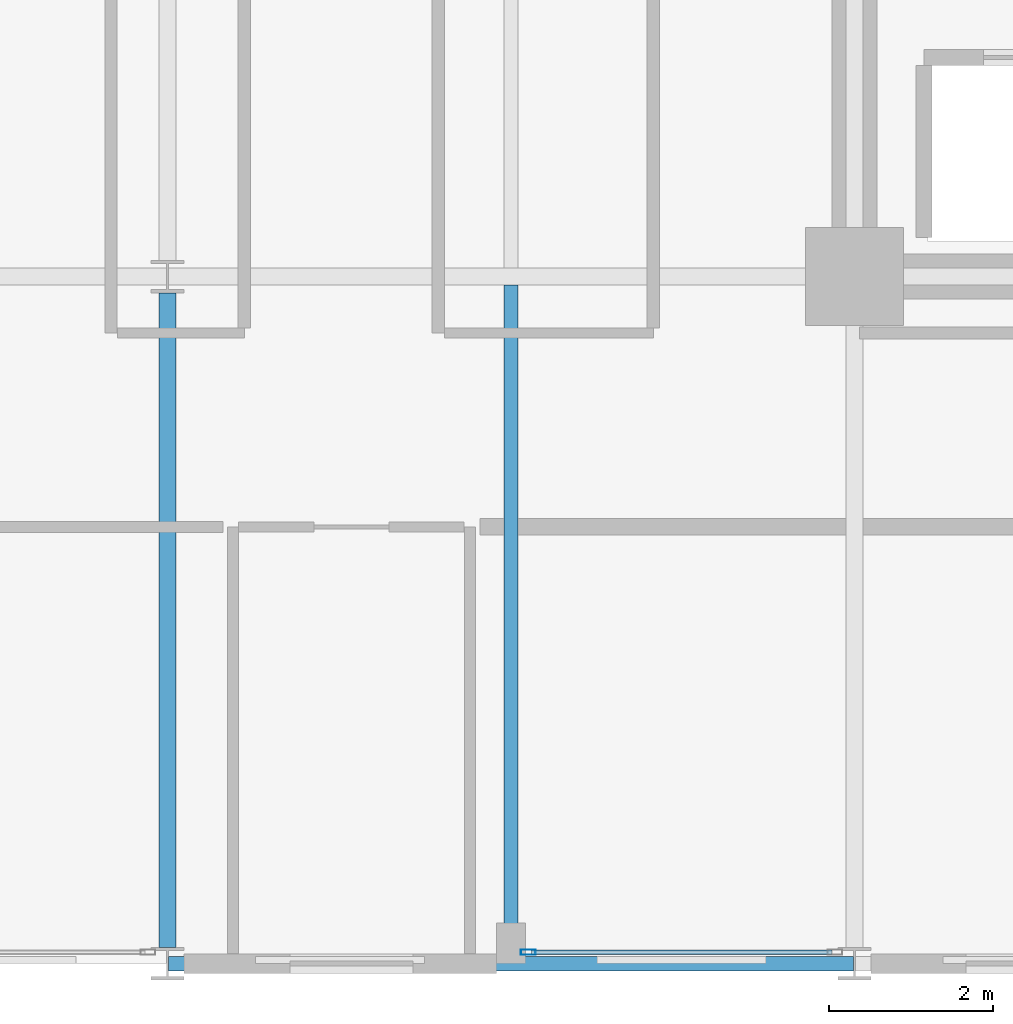
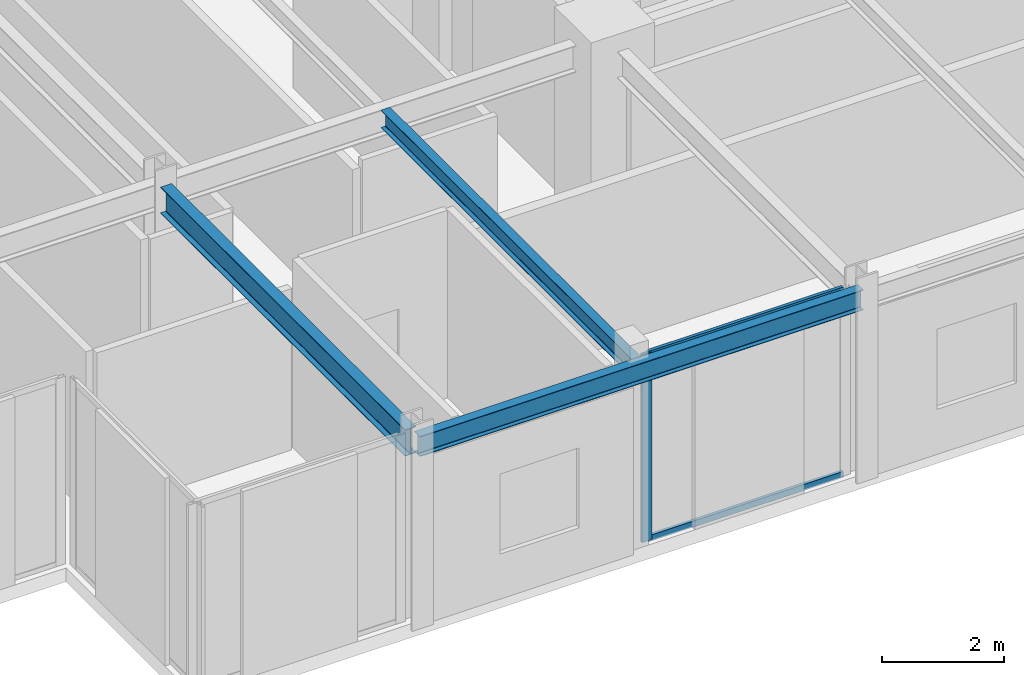
# One storey, part 3 of 29: 3 beams, 3 members, 1 element without a shape of its own.
"""IFC4 building model written with IfcOpenShell, lengths in metres."""

from ifc_helpers import new_model, si_unit, direction, frame, origin, origin_2d, place, context, subcontext, project, spatial, hollow_rectangle, i_section, extrude, material, layer, layer_set, material_profile, profile_set, type_object, element, aggregate, save


model = new_model("IFC4")

# Units and contexts
model_context = context("Model", 3, precision=1e-05, world=origin(), true_north=direction((0.0, 1.0)))
body_context = subcontext(model_context, "Body", "Model", "MODEL_VIEW")
ifc_project = project(units=[si_unit("LENGTHUNIT", "METRE"), si_unit("AREAUNIT", "SQUARE_METRE"), si_unit("VOLUMEUNIT", "CUBIC_METRE"), si_unit("PLANEANGLEUNIT", "RADIAN"), si_unit("MASSUNIT", "GRAM", prefix="KILO")], contexts=[model_context])

# Site, building, storey
site_placement = place(None, origin())
site = spatial("IfcSite", under=ifc_project, at=site_placement, CompositionType="ELEMENT")
building_placement = place(site_placement, origin())
building = spatial("IfcBuilding", under=site, at=building_placement, Name="Nerrivon Quay Data Exchange", CompositionType="ELEMENT")
storey_placement = place(building_placement, frame((0.0, 0.0, 158.199951171875)))
storey = spatial("IfcBuildingStorey", under=building, at=storey_placement, Name="L37", CompositionType="ELEMENT", Elevation=158.199951171875)

# Beams
ifc_material_1 = material(Name="Steel Grade 350", Category="steel")
ifc_material_profile_1 = material_profile(ifc_material_1, i_section(OverallWidth=0.208984375, OverallDepth=0.528076171875, WebThickness=0.009521484375, FlangeThickness=0.01318359375, FilletRadius=0.013916015625, at=origin_2d()), Name="530UB82.0")
ifc_profile_set_1 = profile_set([ifc_material_profile_1], Name="Steel Grade 350")
beam_type_1 = type_object("IfcBeamType", Name="BM-G4-530UB82", PredefinedType="BEAM", material=ifc_profile_set_1)
beam_1_placement = place(storey_placement, frame((8.39990234375, 0.199951171875, 3.486083984375), z_axis=(0.0, 1.0, 0.0), x_axis=(-1.0, 0.0, 0.0)))
element("IfcBeam", 1, at=beam_1_placement, inside=storey, type_object=beam_type_1, Name="L37 NS Girder X=8.4 (0.0..8.4)", PredefinedType="BEAM", context=body_context, shape_type="SweptSolid", body=[
    extrude(i_section(OverallWidth=0.208984375, OverallDepth=0.528076171875, WebThickness=0.009521484375, FlangeThickness=0.01318359375, FilletRadius=0.013916015625, at=origin_2d()), origin(), (0.0, 0.0, 1.0), 8.0),
])
ifc_material_profile_2 = material_profile(ifc_material_1, i_section(OverallWidth=0.1708984375, OverallDepth=0.35595703125, WebThickness=0.00732421875, FlangeThickness=0.011474609375, FilletRadius=0.011474609375, at=origin_2d()), Name="360UB50.7")
ifc_profile_set_2 = profile_set([ifc_material_profile_2], Name="Steel Grade 350")
beam_type_2 = type_object("IfcBeamType", Name="BM-J4-360UB51", PredefinedType="JOIST", material=ifc_profile_set_2)
beam_2_placement = place(storey_placement, frame((12.60009765625, 0.089111328125, 3.572021484375), z_axis=(0.0, 1.0, 0.0), x_axis=(-1.0, 0.0, 0.0)))
element("IfcBeam", 2, at=beam_2_placement, inside=storey, type_object=beam_type_2, Name="L37 Secondary Joist X=12.6 (0.0..8.4)", PredefinedType="JOIST", context=body_context, shape_type="SweptSolid", body=[
    extrude(i_section(OverallWidth=0.1708984375, OverallDepth=0.35595703125, WebThickness=0.00732421875, FlangeThickness=0.011474609375, FilletRadius=0.011474609375, at=origin_2d()), origin(), (0.0, 0.0, 1.0), 8.206298828125),
])
ifc_material_profile_3 = material_profile(ifc_material_1, i_section(OverallWidth=0.177978515625, OverallDepth=0.403076171875, WebThickness=0.007568359375, FlangeThickness=0.010986328125, FilletRadius=0.011474609375, at=origin_2d()), Name="410UB53.7")
ifc_profile_set_3 = profile_set([ifc_material_profile_3], Name="Steel Grade 350")
beam_type_3 = type_object("IfcBeamType", Name="BM-SP2-410UB54", PredefinedType="SPANDREL", material=ifc_profile_set_3)
beam_3_placement = place(storey_placement, frame((8.41259765625, 0.0, 3.548583984375), z_axis=(1.0, 0.0, 0.0), x_axis=(0.0, 1.0, 0.0)))
element("IfcBeam", 3, at=beam_3_placement, inside=storey, type_object=beam_type_3, Name="L37 EW Girder Y=0.0 (8.4..16.8)", PredefinedType="SPANDREL", context=body_context, shape_type="SweptSolid", body=[
    extrude(i_section(OverallWidth=0.177978515625, OverallDepth=0.403076171875, WebThickness=0.007568359375, FlangeThickness=0.010986328125, FilletRadius=0.011474609375, at=origin_2d()), origin(), (0.0, 0.0, 1.0), 8.375),
])

# Curtain wall, members
ifc_material_2 = material(Name="Anodised aluminium 6063-T6", Category="aluminium")
ifc_layer = layer(ifc_material_2, 0.2099609375)
ifc_layer_set = layer_set([ifc_layer], Name="Anodised aluminium 6063-T6")
curtain_wall_type = type_object("IfcCurtainWallType", Name="CW-SYS-02", PredefinedType="NOTDEFINED", material=ifc_layer_set)
curtain_wall_placement = place(storey_placement, origin())
curtain_wall = element("IfcCurtainWall", 4, at=curtain_wall_placement, inside=storey, type_object=curtain_wall_type, Name="L37 Unitised Curtain Wall 6", PredefinedType="NOTDEFINED")
ifc_material_profile_4 = material_profile(ifc_material_2, hollow_rectangle(XDim=0.06494140625, YDim=0.179931640625, WallThickness=0.00341796875, at=origin_2d()), Name="ALU-MULL-180x65")
ifc_profile_set_4 = profile_set([ifc_material_profile_4], Name="Anodised aluminium 6063-T6")
member_type_1 = type_object("IfcMemberType", Name="CWM-180x65", PredefinedType="MULLION", material=ifc_profile_set_4)
member_1_placement = place(storey_placement, frame((12.8125, 0.139892578125, 0.0), z_axis=(0.0, 0.0, 1.0), x_axis=(0.0, -1.0, 0.0)))
member_1 = element("IfcMember", 5, at=member_1_placement, type_object=member_type_1, Name="CW02 mullion 2", PredefinedType="MULLION", context=body_context, shape_type="SweptSolid", body=[
    extrude(hollow_rectangle(XDim=0.06494140625, YDim=0.179931640625, WallThickness=0.00341796875, at=origin_2d()), origin(), (0.0, 0.0, 1.0), 3.75),
])
ifc_material_profile_5 = material_profile(ifc_material_2, hollow_rectangle(XDim=0.06005859375, YDim=0.1201171875, WallThickness=0.003173828125, at=origin_2d()), Name="ALU-TRAN-120x60")
ifc_profile_set_5 = profile_set([ifc_material_profile_5], Name="Anodised aluminium 6063-T6")
member_type_2 = type_object("IfcMemberType", Name="CWT-120x60", PredefinedType="USERDEFINED", material=ifc_profile_set_5)
member_2_placement = place(storey_placement, frame((16.52490234375, 0.139892578125, 0.032470703125), z_axis=(-1.0, 0.0, 0.0), x_axis=(0.0, -1.0, 0.0)))
member_2 = element("IfcMember", 6, at=member_2_placement, type_object=member_type_2, Name="CW02 transom 1.1", ObjectType="TRANSOM", PredefinedType="USERDEFINED", context=body_context, shape_type="SweptSolid", body=[
    extrude(hollow_rectangle(XDim=0.06005859375, YDim=0.1201171875, WallThickness=0.003173828125, at=origin_2d()), origin(), (0.0, 0.0, 1.0), 3.6748046875),
])
member_3_placement = place(storey_placement, frame((16.52490234375, 0.139892578125, 3.717529296875), z_axis=(-1.0, 0.0, 0.0), x_axis=(0.0, -1.0, 0.0)))
member_3 = element("IfcMember", 7, at=member_3_placement, type_object=member_type_2, Name="CW02 transom 1.2", ObjectType="TRANSOM", PredefinedType="USERDEFINED", context=body_context, shape_type="SweptSolid", body=[
    extrude(hollow_rectangle(XDim=0.06005859375, YDim=0.1201171875, WallThickness=0.003173828125, at=origin_2d()), origin(), (0.0, 0.0, 1.0), 3.6748046875),
])
aggregate(curtain_wall, [member_1, member_2, member_3])

save(model, "model.ifc")
